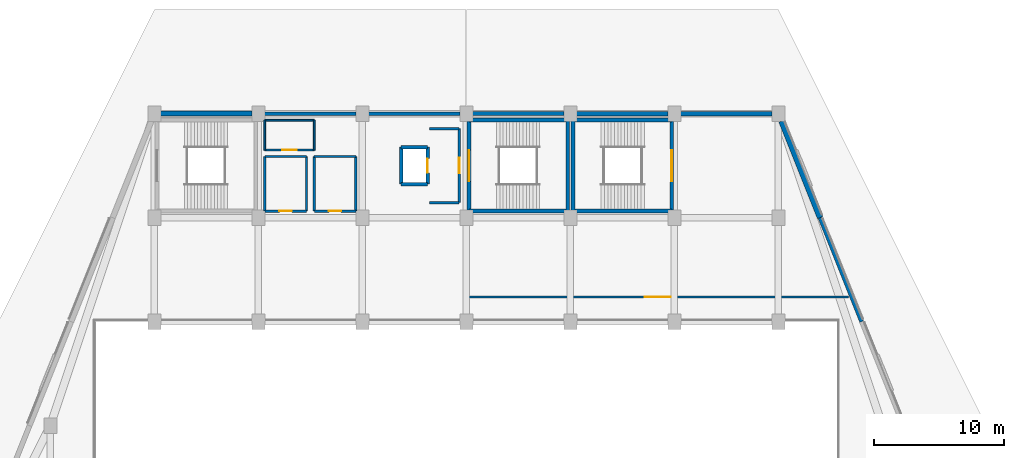
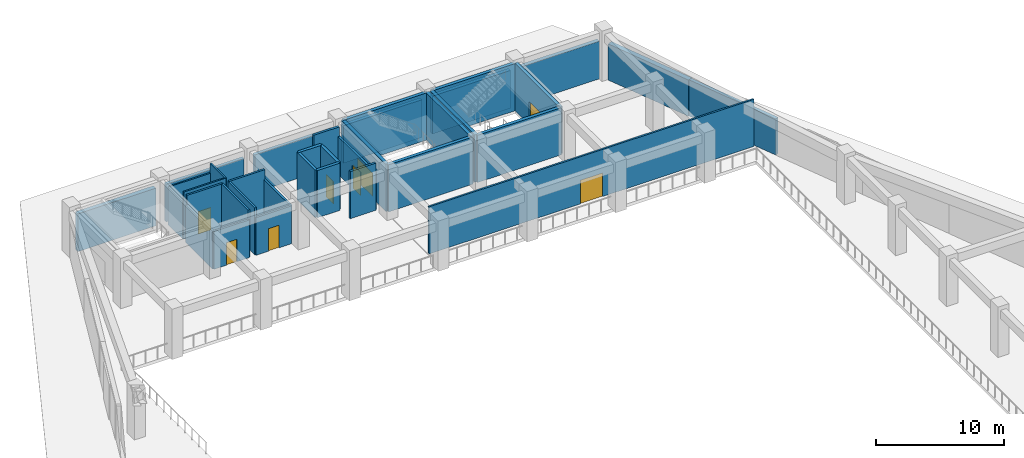
# One storey, part 4 of 8: 36 walls, 8 doors, 8 openings.
"""IFC4 building model written with IfcOpenShell, lengths in metres."""

from ifc_helpers import new_model, si_unit, direction, frame, frame_2d, origin, place, context, subcontext, project, spatial, rectangle, extrude, material, layer, layer_set, type_object, element, fill, save


model = new_model("IFC4")

# Units and contexts
model_context = context("Model", 3, precision=1e-05, world=origin(), true_north=direction((0.0, 1.0)))
body_context = subcontext(model_context, "Body", "Model", "MODEL_VIEW")
ifc_project = project(units=[si_unit("LENGTHUNIT", "METRE"), si_unit("AREAUNIT", "SQUARE_METRE"), si_unit("VOLUMEUNIT", "CUBIC_METRE"), si_unit("PLANEANGLEUNIT", "RADIAN"), si_unit("MASSUNIT", "GRAM", prefix="KILO")], contexts=[model_context])

# Site, building, storey
site_placement = place(None, origin())
site = spatial("IfcSite", under=ifc_project, at=site_placement, CompositionType="ELEMENT")
building_placement = place(site_placement, origin())
building = spatial("IfcBuilding", under=site, at=building_placement, Name="Tazarka Park Arena", CompositionType="ELEMENT")
storey_placement = place(building_placement, frame((0.0, 0.0, 19.800048828125)))
storey = spatial("IfcBuildingStorey", under=building, at=storey_placement, Name="L04", CompositionType="ELEMENT", Elevation=19.800048828125)

# Walls
ifc_material_1 = material(Name="Concrete C40/50", Category="concrete")
ifc_layer_1 = layer(ifc_material_1, 0.300048828125, Name="Concrete C40/50")
ifc_layer_set_1 = layer_set([ifc_layer_1], Name="Concrete C40/50")
wall_type_1 = type_object("IfcWallType", Name="IWAL-CW-S1", PredefinedType="SHEAR", material=ifc_layer_set_1)
wall_1_placement = place(storey_placement, frame((103.800048828125, 96.5, 0.0), z_axis=(0.0, 0.0, 1.0), x_axis=(-1.0, 0.0, 0.0)))
element("IfcWall", 1, at=wall_1_placement, inside=storey, type_object=wall_type_1, Name="SCW-L04-ST10-S", PredefinedType="SHEAR", context=body_context, shape_type="SweptSolid", body=[
    extrude(rectangle(XDim=7.60009765625, YDim=0.300048828125, at=frame_2d((3.800048828125, 0.0))), origin(), (0.0, 0.0, 1.0), 4.5),
])
wall_2_placement = place(storey_placement, frame((96.199951171875, 96.5, 0.0), z_axis=(0.0, 0.0, 1.0), x_axis=(0.0, 1.0, 0.0)))
element("IfcWall", 2, at=wall_2_placement, inside=storey, type_object=wall_type_1, Name="SCW-L04-ST10-W", PredefinedType="SHEAR", context=body_context, shape_type="SweptSolid", body=[
    extrude(rectangle(XDim=7.0, YDim=0.300048828125, at=frame_2d((3.5, 0.0))), origin(), (0.0, 0.0, 1.0), 4.5),
])
wall_3_placement = place(storey_placement, frame((96.199951171875, 103.5, 0.0), z_axis=(0.0, 0.0, 1.0), x_axis=(1.0, 0.0, 0.0)))
element("IfcWall", 3, at=wall_3_placement, inside=storey, type_object=wall_type_1, Name="SCW-L04-ST10-N", PredefinedType="SHEAR", context=body_context, shape_type="SweptSolid", body=[
    extrude(rectangle(XDim=7.60009765625, YDim=0.300048828125, at=frame_2d((3.800048828125, 0.0))), origin(), (0.0, 0.0, 1.0), 4.5),
])

# Wall, opening, door
wall_4_placement = place(storey_placement, frame((103.800048828125, 103.5, 0.0), z_axis=(0.0, 0.0, 1.0), x_axis=(0.0, -1.0, 0.0)))
wall_4 = element("IfcWall", 4, at=wall_4_placement, inside=storey, type_object=wall_type_1, Name="SCW-L04-ST10-E", PredefinedType="SHEAR", context=body_context, shape_type="SweptSolid", body=[
    extrude(rectangle(XDim=7.0, YDim=0.300048828125, at=frame_2d((3.5, 0.0))), origin(), (0.0, 0.0, 1.0), 4.5),
])
opening_1_placement = place(wall_4_placement, frame((2.300048828125, 0.0, 0.0)))
opening_1 = element("IfcOpeningElement", 5, at=opening_1_placement, cuts=wall_4, Name="Opening ID-05", PredefinedType="OPENING", context=body_context, shape_type="SweptSolid", body=[
    extrude(rectangle(XDim=2.39990234375, YDim=2.199951171875, at=frame_2d((1.199951171875, 1.10009765625))), frame((0.0, 0.16015625, 0.0), z_axis=(0.0, -1.0, 0.0), x_axis=(1.0, 0.0, 0.0)), (0.0, 0.0, 1.0), 0.320068359375),
])
ifc_material_2 = material(Name="Fire-rated powder-coated steel and acoustic timber", Category="steel")
door_type_1 = type_object("IfcDoorType", Name="IDR-ID-05", OperationType="NOTDEFINED", PredefinedType="DOOR", material=ifc_material_2)
door_1_placement = place(opening_1_placement, frame((2.39990234375, 0.0, 0.0), z_axis=(0.0, 0.0, 1.0), x_axis=(-1.0, 0.0, 0.0)))
door_1 = element("IfcDoor", 6, at=door_1_placement, inside=storey, type_object=door_type_1, Name="Exit Stair Door ST10-L04", OperationType="DOUBLE_DOOR_SINGLE_SWING", OverallHeight=2.199951171875, OverallWidth=2.39990234375, PredefinedType="DOOR", context=body_context, shape_type="SweptSolid", body=[
    extrude(rectangle(XDim=2.39990234375, YDim=2.199951171875, at=frame_2d((1.199951171875, 1.10009765625))), frame((0.0, 0.02490234375, 0.0), z_axis=(0.0, -1.0, 0.0), x_axis=(1.0, 0.0, 0.0)), (0.0, 0.0, 1.0), 0.050048828125),
])
fill(opening_1, door_1)

# Wall
wall_5_placement = place(storey_placement, frame((95.800048828125, 96.5, 0.0), z_axis=(0.0, 0.0, 1.0), x_axis=(-1.0, 0.0, 0.0)))
element("IfcWall", 7, at=wall_5_placement, inside=storey, type_object=wall_type_1, Name="SCW-L04-ST15-S", PredefinedType="SHEAR", context=body_context, shape_type="SweptSolid", body=[
    extrude(rectangle(XDim=7.60009765625, YDim=0.300048828125, at=frame_2d((3.800048828125, 0.0))), origin(), (0.0, 0.0, 1.0), 4.5),
])

# Wall, opening, door
wall_6_placement = place(storey_placement, frame((88.199951171875, 96.5, 0.0), z_axis=(0.0, 0.0, 1.0), x_axis=(0.0, 1.0, 0.0)))
wall_6 = element("IfcWall", 8, at=wall_6_placement, inside=storey, type_object=wall_type_1, Name="SCW-L04-ST15-W", PredefinedType="SHEAR", context=body_context, shape_type="SweptSolid", body=[
    extrude(rectangle(XDim=7.0, YDim=0.300048828125, at=frame_2d((3.5, 0.0))), origin(), (0.0, 0.0, 1.0), 4.5),
])
opening_2_placement = place(wall_6_placement, frame((2.300048828125, 0.0, 0.0)))
opening_2 = element("IfcOpeningElement", 9, at=opening_2_placement, cuts=wall_6, Name="Opening ID-05", PredefinedType="OPENING", context=body_context, shape_type="SweptSolid", body=[
    extrude(rectangle(XDim=2.39990234375, YDim=2.199951171875, at=frame_2d((1.199951171875, 1.10009765625))), frame((0.0, 0.16015625, 0.0), z_axis=(0.0, -1.0, 0.0), x_axis=(1.0, 0.0, 0.0)), (0.0, 0.0, 1.0), 0.320068359375),
])
door_2_placement = place(opening_2_placement, frame((2.39990234375, 0.0, 0.0), z_axis=(0.0, 0.0, 1.0), x_axis=(-1.0, 0.0, 0.0)))
door_2 = element("IfcDoor", 10, at=door_2_placement, inside=storey, type_object=door_type_1, Name="Exit Stair Door ST15-L04", OperationType="DOUBLE_DOOR_SINGLE_SWING", OverallHeight=2.199951171875, OverallWidth=2.39990234375, PredefinedType="DOOR", context=body_context, shape_type="SweptSolid", body=[
    extrude(rectangle(XDim=2.39990234375, YDim=2.199951171875, at=frame_2d((1.199951171875, 1.10009765625))), frame((0.0, 0.02490234375, 0.0), z_axis=(0.0, -1.0, 0.0), x_axis=(1.0, 0.0, 0.0)), (0.0, 0.0, 1.0), 0.050048828125),
])
fill(opening_2, door_2)

# Walls
wall_7_placement = place(storey_placement, frame((88.199951171875, 103.5, 0.0), z_axis=(0.0, 0.0, 1.0), x_axis=(1.0, 0.0, 0.0)))
element("IfcWall", 11, at=wall_7_placement, inside=storey, type_object=wall_type_1, Name="SCW-L04-ST15-N", PredefinedType="SHEAR", context=body_context, shape_type="SweptSolid", body=[
    extrude(rectangle(XDim=7.60009765625, YDim=0.300048828125, at=frame_2d((3.800048828125, 0.0))), origin(), (0.0, 0.0, 1.0), 4.5),
])
wall_8_placement = place(storey_placement, frame((95.800048828125, 103.5, 0.0), z_axis=(0.0, 0.0, 1.0), x_axis=(0.0, -1.0, 0.0)))
element("IfcWall", 12, at=wall_8_placement, inside=storey, type_object=wall_type_1, Name="SCW-L04-ST15-E", PredefinedType="SHEAR", context=body_context, shape_type="SweptSolid", body=[
    extrude(rectangle(XDim=7.0, YDim=0.300048828125, at=frame_2d((3.5, 0.0))), origin(), (0.0, 0.0, 1.0), 4.5),
])
ifc_material_3 = material(Name="Concrete C40/50", Category="concrete")
ifc_layer_2 = layer(ifc_material_3, 0.260009765625, Name="Concrete C40/50")
ifc_layer_set_2 = layer_set([ifc_layer_2], Name="Concrete C40/50")
wall_type_2 = type_object("IfcWallType", Name="IWAL-CW-S3", PredefinedType="SHEAR", material=ifc_layer_set_2)
wall_9_placement = place(storey_placement, frame((82.97998046875, 98.580078125, 0.0), z_axis=(0.0, 0.0, 1.0), x_axis=(0.0, 1.0, 0.0)))
element("IfcWall", 13, at=wall_9_placement, inside=storey, type_object=wall_type_2, Name="LSW-L04-LF-03-W", PredefinedType="SHEAR", context=body_context, shape_type="SweptSolid", body=[
    extrude(rectangle(XDim=2.83984375, YDim=0.260009765625, at=frame_2d((1.419921875, 0.0))), origin(), (0.0, 0.0, 1.0), 4.5),
])
for number, where, z_axis, x_axis, name in (
    (14, (82.97998046875, 101.419921875, 0.0), (0.0, 0.0, 1.0), (1.0, 0.0, 0.0), "LSW-L04-LF-03-N"),
    (15, (85.02001953125, 98.580078125, 0.0), (0.0, 0.0, 1.0), (-1.0, 0.0, 0.0), "LSW-L04-LF-03-S"),
):
    element("IfcWall", number, at=place(storey_placement, frame(where, z_axis=z_axis, x_axis=x_axis)), inside=storey, type_object=wall_type_2, Name=name, PredefinedType="SHEAR", context=body_context, shape_type="SweptSolid", body=[
        extrude(rectangle(XDim=2.0400390625, YDim=0.260009765625, at=frame_2d((1.02001953125, 0.0))), origin(), (0.0, 0.0, 1.0), 4.5),
    ])

# Wall, opening, door
wall_10_placement = place(storey_placement, frame((85.02001953125, 101.419921875, 0.0), z_axis=(0.0, 0.0, 1.0), x_axis=(0.0, -1.0, 0.0)))
wall_10 = element("IfcWall", 16, at=wall_10_placement, inside=storey, type_object=wall_type_2, Name="LSW-L04-LF-03-E", PredefinedType="SHEAR", context=body_context, shape_type="SweptSolid", body=[
    extrude(rectangle(XDim=2.83984375, YDim=0.260009765625, at=frame_2d((1.419921875, 0.0))), origin(), (0.0, 0.0, 1.0), 4.5),
])
opening_3_placement = place(wall_10_placement, frame((0.8701171875, 0.0, 0.0)))
opening_3 = element("IfcOpeningElement", 17, at=opening_3_placement, cuts=wall_10, Name="Opening LD-01", PredefinedType="OPENING", context=body_context, shape_type="SweptSolid", body=[
    extrude(rectangle(XDim=1.10009765625, YDim=2.14990234375, at=frame_2d((0.550048828125, 1.074951171875))), frame((0.0, 0.14013671875, 0.0), z_axis=(0.0, -1.0, 0.0), x_axis=(1.0, 0.0, 0.0)), (0.0, 0.0, 1.0), 0.280029296875),
])
ifc_material_4 = material(Name="Fire-rated powder-coated steel and acoustic timber", Category="steel")
door_type_2 = type_object("IfcDoorType", Name="IDR-LD-01", OperationType="NOTDEFINED", PredefinedType="DOOR", material=ifc_material_4)
door_3_placement = place(opening_3_placement, origin())
door_3 = element("IfcDoor", 18, at=door_3_placement, inside=storey, type_object=door_type_2, Name="Lift Landing Door LF-03-L04", OperationType="SLIDING_TO_LEFT", OverallHeight=2.14990234375, OverallWidth=1.10009765625, PredefinedType="DOOR", context=body_context, shape_type="SweptSolid", body=[
    extrude(rectangle(XDim=1.10009765625, YDim=2.14990234375, at=frame_2d((0.550048828125, 1.074951171875))), frame((0.0, 0.02490234375, 0.0), z_axis=(0.0, -1.0, 0.0), x_axis=(1.0, 0.0, 0.0)), (0.0, 0.0, 1.0), 0.050048828125),
])
fill(opening_3, door_3)

ifc_material_5 = material(Name="Double-stud acoustic gypsum partition")
ifc_layer_3 = layer(ifc_material_5, 0.159912109375, Name="Double-stud acoustic gypsum partition")
ifc_layer_set_3 = layer_set([ifc_layer_3], Name="Double-stud acoustic gypsum partition")
wall_type_3 = type_object("IfcWallType", Name="IWAL-PT-03", PredefinedType="PARTITIONING", material=ifc_layer_set_3)
wall_11_placement = place(storey_placement, frame((117.375244140625, 89.89990234375, 0.0), z_axis=(0.0, 0.0, 1.0), x_axis=(-1.0, 0.0, 0.0)))
wall_11 = element("IfcWall", 19, at=wall_11_placement, inside=storey, type_object=wall_type_3, Name="PRT-L04-021", PredefinedType="PARTITIONING", context=body_context, shape_type="SweptSolid", body=[
    extrude(rectangle(XDim=29.295166015625, YDim=0.159912109375, at=frame_2d((14.6474609375, 0.0))), origin(), (0.0, 0.0, 1.0), 4.5),
])
opening_4_placement = place(wall_11_placement, frame((13.647705078125, 0.0, 0.0)))
opening_4 = element("IfcOpeningElement", 20, at=opening_4_placement, cuts=wall_11, Name="Opening ID-08", PredefinedType="OPENING", context=body_context, shape_type="SweptSolid", body=[
    extrude(rectangle(XDim=2.0, YDim=2.25, at=frame_2d((1.0, 1.125))), frame((0.0, 0.08984375, 0.0), z_axis=(0.0, -1.0, 0.0), x_axis=(1.0, 0.0, 0.0)), (0.0, 0.0, 1.0), 0.179931640625),
])
ifc_material_6 = material(Name="Fire-rated powder-coated steel and acoustic timber", Category="steel")
door_type_3 = type_object("IfcDoorType", Name="IDR-ID-08", OperationType="NOTDEFINED", PredefinedType="DOOR", material=ifc_material_6)
door_4_placement = place(opening_4_placement, origin())
door_4 = element("IfcDoor", 21, at=door_4_placement, inside=storey, type_object=door_type_3, Name="Room Door Venue Administration and Event Control Offices", OperationType="DOUBLE_DOOR_SINGLE_SWING", OverallHeight=2.25, OverallWidth=2.0, PredefinedType="DOOR", context=body_context, shape_type="SweptSolid", body=[
    extrude(rectangle(XDim=2.0, YDim=2.25, at=frame_2d((1.0, 1.125))), frame((0.0, 0.02490234375, 0.0), z_axis=(0.0, -1.0, 0.0), x_axis=(1.0, 0.0, 0.0)), (0.0, 0.0, 1.0), 0.050048828125),
])
fill(opening_4, door_4)

# Walls
ifc_material_7 = material(Name="Reinforced masonry compartment wall", Category="masonry")
ifc_layer_4 = layer(ifc_material_7, 0.199951171875, Name="Reinforced masonry compartment wall")
ifc_layer_set_4 = layer_set([ifc_layer_4], Name="Reinforced masonry compartment wall")
wall_type_4 = type_object("IfcWallType", Name="IWAL-PT-04", PredefinedType="PARTITIONING", material=ifc_layer_set_4)
for number, where, z_axis, x_axis, name in (
    (22, (85.14990234375, 102.85009765625, 0.0), (0.0, 0.0, 1.0), (1.0, 0.0, 0.0), "FFW-L04-LF-03-N"),
    (23, (87.449951171875, 97.14990234375, 0.0), (0.0, 0.0, 1.0), (-1.0, 0.0, 0.0), "FFW-L04-LF-03-S"),
):
    element("IfcWall", number, at=place(storey_placement, frame(where, z_axis=z_axis, x_axis=x_axis)), inside=storey, type_object=wall_type_4, Name=name, PredefinedType="PARTITIONING", context=body_context, shape_type="SweptSolid", body=[
        extrude(rectangle(XDim=2.300048828125, YDim=0.199951171875, at=frame_2d((1.14990234375, 0.0))), origin(), (0.0, 0.0, 1.0), 4.5),
    ])

# Wall, opening, door
wall_12_placement = place(storey_placement, frame((87.449951171875, 102.85009765625, 0.0), z_axis=(0.0, 0.0, 1.0), x_axis=(0.0, -1.0, 0.0)))
wall_12 = element("IfcWall", 24, at=wall_12_placement, inside=storey, type_object=wall_type_4, Name="FFW-L04-LF-03-E", PredefinedType="PARTITIONING", context=body_context, shape_type="SweptSolid", body=[
    extrude(rectangle(XDim=5.7001953125, YDim=0.199951171875, at=frame_2d((2.85009765625, 0.0))), origin(), (0.0, 0.0, 1.0), 3.599853515625),
])
opening_5_placement = place(wall_12_placement, frame((2.25, 0.0, 0.0)))
opening_5 = element("IfcOpeningElement", 25, at=opening_5_placement, cuts=wall_12, Name="Opening ID-03", PredefinedType="OPENING", context=body_context, shape_type="SweptSolid", body=[
    extrude(rectangle(XDim=1.199951171875, YDim=2.199951171875, at=frame_2d((0.60009765625, 1.10009765625))), frame((0.0, 0.10986328125, 0.0), z_axis=(0.0, -1.0, 0.0), x_axis=(1.0, 0.0, 0.0)), (0.0, 0.0, 1.0), 0.219970703125),
])
ifc_material_8 = material(Name="Fire-rated powder-coated steel and acoustic timber", Category="steel")
door_type_4 = type_object("IfcDoorType", Name="IDR-ID-03", OperationType="NOTDEFINED", PredefinedType="DOOR", material=ifc_material_8)
door_5_placement = place(opening_5_placement, origin())
door_5 = element("IfcDoor", 26, at=door_5_placement, inside=storey, type_object=door_type_4, Name="Firefighting Lobby Door LF-03-L04", OperationType="SINGLE_SWING_RIGHT", OverallHeight=2.199951171875, OverallWidth=1.199951171875, PredefinedType="DOOR", context=body_context, shape_type="SweptSolid", body=[
    extrude(rectangle(XDim=1.199951171875, YDim=2.199951171875, at=frame_2d((0.60009765625, 1.10009765625))), frame((0.0, 0.02490234375, 0.0), z_axis=(0.0, -1.0, 0.0), x_axis=(1.0, 0.0, 0.0)), (0.0, 0.0, 1.0), 0.050048828125),
])
fill(opening_5, door_5)

ifc_material_9 = material(Name="Acoustic gypsum stud partition")
ifc_layer_5 = layer(ifc_material_9, 0.135009765625, Name="Acoustic gypsum stud partition")
ifc_layer_set_5 = layer_set([ifc_layer_5], Name="Acoustic gypsum stud partition")
wall_type_5 = type_object("IfcWallType", Name="IWAL-PT-10", PredefinedType="PARTITIONING", material=ifc_layer_set_5)
wall_13_placement = place(storey_placement, frame((72.5, 101.199951171875, 0.0), z_axis=(0.0, 0.0, 1.0), x_axis=(1.0, 0.0, 0.0)))
wall_13 = element("IfcWall", 27, at=wall_13_placement, inside=storey, type_object=wall_type_5, Name="WCE-L04-131", PredefinedType="PARTITIONING", context=body_context, shape_type="SweptSolid", body=[
    extrude(rectangle(XDim=3.800048828125, YDim=0.135009765625, at=frame_2d((1.89990234375, 0.0))), origin(), (0.0, 0.0, 1.0), 4.5),
])
opening_6_placement = place(wall_13_placement, frame((1.35009765625, 0.0, 0.0)))
opening_6 = element("IfcOpeningElement", 28, at=opening_6_placement, cuts=wall_13, Name="Opening ID-02", PredefinedType="OPENING", context=body_context, shape_type="SweptSolid", body=[
    extrude(rectangle(XDim=1.10009765625, YDim=2.14990234375, at=frame_2d((0.550048828125, 1.074951171875))), frame((0.0, 0.07763671875, 0.0), z_axis=(0.0, -1.0, 0.0), x_axis=(1.0, 0.0, 0.0)), (0.0, 0.0, 1.0), 0.155029296875),
])
ifc_material_10 = material(Name="Fire-rated powder-coated steel and acoustic timber", Category="steel")
door_type_5 = type_object("IfcDoorType", Name="IDR-ID-02", OperationType="NOTDEFINED", PredefinedType="DOOR", material=ifc_material_10)
door_6_placement = place(opening_6_placement, origin())
door_6 = element("IfcDoor", 29, at=door_6_placement, inside=storey, type_object=door_type_5, Name="Room Door Accessible WC Media 1", OperationType="SINGLE_SWING_RIGHT", OverallHeight=2.14990234375, OverallWidth=1.10009765625, PredefinedType="DOOR", context=body_context, shape_type="SweptSolid", body=[
    extrude(rectangle(XDim=1.10009765625, YDim=2.14990234375, at=frame_2d((0.550048828125, 1.074951171875))), frame((0.0, 0.02490234375, 0.0), z_axis=(0.0, -1.0, 0.0), x_axis=(1.0, 0.0, 0.0)), (0.0, 0.0, 1.0), 0.050048828125),
])
fill(opening_6, door_6)

# Walls
wall_14_placement = place(storey_placement, frame((76.300048828125, 101.199951171875, 0.0), z_axis=(0.0, 0.0, 1.0), x_axis=(0.0, 1.0, 0.0)))
element("IfcWall", 30, at=wall_14_placement, inside=storey, type_object=wall_type_5, Name="WCE-L04-132", PredefinedType="PARTITIONING", context=body_context, shape_type="SweptSolid", body=[
    extrude(rectangle(XDim=2.300048828125, YDim=0.135009765625, at=frame_2d((1.14990234375, 0.0))), origin(), (0.0, 0.0, 1.0), 4.5),
])
wall_15_placement = place(storey_placement, frame((76.300048828125, 103.5, 0.0), z_axis=(0.0, 0.0, 1.0), x_axis=(-1.0, 0.0, 0.0)))
element("IfcWall", 31, at=wall_15_placement, inside=storey, type_object=wall_type_5, Name="WCE-L04-133", PredefinedType="PARTITIONING", context=body_context, shape_type="SweptSolid", body=[
    extrude(rectangle(XDim=3.800048828125, YDim=0.135009765625, at=frame_2d((1.89990234375, 0.0))), origin(), (0.0, 0.0, 1.0), 3.599853515625),
])
wall_16_placement = place(storey_placement, frame((72.5, 103.5, 0.0), z_axis=(0.0, 0.0, 1.0), x_axis=(0.0, -1.0, 0.0)))
element("IfcWall", 32, at=wall_16_placement, inside=storey, type_object=wall_type_5, Name="WCE-L04-134", PredefinedType="PARTITIONING", context=body_context, shape_type="SweptSolid", body=[
    extrude(rectangle(XDim=2.300048828125, YDim=0.135009765625, at=frame_2d((1.14990234375, 0.0))), origin(), (0.0, 0.0, 1.0), 3.599853515625),
])

# Wall, opening, door
ifc_material_11 = material(Name="Wet-zone tiled blockwork wall", Category="masonry")
ifc_layer_6 = layer(ifc_material_11, 0.175048828125, Name="Wet-zone tiled blockwork wall")
ifc_layer_set_6 = layer_set([ifc_layer_6], Name="Wet-zone tiled blockwork wall")
wall_type_6 = type_object("IfcWallType", Name="IWAL-PT-18", PredefinedType="PARTITIONING", material=ifc_layer_set_6)
wall_17_placement = place(storey_placement, frame((72.5, 96.5, 0.0), z_axis=(0.0, 0.0, 1.0), x_axis=(1.0, 0.0, 0.0)))
wall_17 = element("IfcWall", 33, at=wall_17_placement, inside=storey, type_object=wall_type_6, Name="WCE-L04-123", PredefinedType="PARTITIONING", context=body_context, shape_type="SweptSolid", body=[
    extrude(rectangle(XDim=3.199951171875, YDim=0.175048828125, at=frame_2d((1.60009765625, 0.0))), origin(), (0.0, 0.0, 1.0), 3.599853515625),
])
opening_7_placement = place(wall_17_placement, frame((1.125, 0.0, 0.0)))
opening_7 = element("IfcOpeningElement", 34, at=opening_7_placement, cuts=wall_17, Name="Opening ID-09", PredefinedType="OPENING", context=body_context, shape_type="SweptSolid", body=[
    extrude(rectangle(XDim=0.949951171875, YDim=2.14990234375, at=frame_2d((0.47509765625, 1.074951171875))), frame((0.0, 0.09765625, 0.0), z_axis=(0.0, -1.0, 0.0), x_axis=(1.0, 0.0, 0.0)), (0.0, 0.0, 1.0), 0.195068359375),
])
ifc_material_12 = material(Name="Fire-rated powder-coated steel and acoustic timber", Category="steel")
door_type_6 = type_object("IfcDoorType", Name="IDR-ID-09", OperationType="NOTDEFINED", PredefinedType="DOOR", material=ifc_material_12)
door_7_placement = place(opening_7_placement, origin())
door_7 = element("IfcDoor", 35, at=door_7_placement, inside=storey, type_object=door_type_6, Name="Room Door Public Male WC Media 1", OperationType="SINGLE_SWING_RIGHT", OverallHeight=2.14990234375, OverallWidth=0.949951171875, PredefinedType="DOOR", context=body_context, shape_type="SweptSolid", body=[
    extrude(rectangle(XDim=0.949951171875, YDim=2.14990234375, at=frame_2d((0.47509765625, 1.074951171875))), frame((0.0, 0.02490234375, 0.0), z_axis=(0.0, -1.0, 0.0), x_axis=(1.0, 0.0, 0.0)), (0.0, 0.0, 1.0), 0.050048828125),
])
fill(opening_7, door_7)

# Walls
wall_18_placement = place(storey_placement, frame((75.699951171875, 96.5, 0.0), z_axis=(0.0, 0.0, 1.0), x_axis=(0.0, 1.0, 0.0)))
element("IfcWall", 36, at=wall_18_placement, inside=storey, type_object=wall_type_6, Name="WCE-L04-124", PredefinedType="PARTITIONING", context=body_context, shape_type="SweptSolid", body=[
    extrude(rectangle(XDim=4.199951171875, YDim=0.175048828125, at=frame_2d((2.10009765625, 0.0))), origin(), (0.0, 0.0, 1.0), 4.5),
])
wall_19_placement = place(storey_placement, frame((75.699951171875, 100.699951171875, 0.0), z_axis=(0.0, 0.0, 1.0), x_axis=(-1.0, 0.0, 0.0)))
element("IfcWall", 37, at=wall_19_placement, inside=storey, type_object=wall_type_6, Name="WCE-L04-125", PredefinedType="PARTITIONING", context=body_context, shape_type="SweptSolid", body=[
    extrude(rectangle(XDim=3.199951171875, YDim=0.175048828125, at=frame_2d((1.60009765625, 0.0))), origin(), (0.0, 0.0, 1.0), 4.5),
])
wall_20_placement = place(storey_placement, frame((72.5, 100.699951171875, 0.0), z_axis=(0.0, 0.0, 1.0), x_axis=(0.0, -1.0, 0.0)))
element("IfcWall", 38, at=wall_20_placement, inside=storey, type_object=wall_type_6, Name="WCE-L04-126", PredefinedType="PARTITIONING", context=body_context, shape_type="SweptSolid", body=[
    extrude(rectangle(XDim=4.199951171875, YDim=0.175048828125, at=frame_2d((2.10009765625, 0.0))), origin(), (0.0, 0.0, 1.0), 3.599853515625),
])

# Wall, opening, door
wall_21_placement = place(storey_placement, frame((76.300048828125, 96.5, 0.0), z_axis=(0.0, 0.0, 1.0), x_axis=(1.0, 0.0, 0.0)))
wall_21 = element("IfcWall", 39, at=wall_21_placement, inside=storey, type_object=wall_type_6, Name="WCE-L04-127", PredefinedType="PARTITIONING", context=body_context, shape_type="SweptSolid", body=[
    extrude(rectangle(XDim=3.199951171875, YDim=0.175048828125, at=frame_2d((1.60009765625, 0.0))), origin(), (0.0, 0.0, 1.0), 3.599853515625),
])
opening_8_placement = place(wall_21_placement, frame((1.125, 0.0, 0.0)))
opening_8 = element("IfcOpeningElement", 40, at=opening_8_placement, cuts=wall_21, Name="Opening ID-09", PredefinedType="OPENING", context=body_context, shape_type="SweptSolid", body=[
    extrude(rectangle(XDim=0.949951171875, YDim=2.14990234375, at=frame_2d((0.47509765625, 1.074951171875))), frame((0.0, 0.09765625, 0.0), z_axis=(0.0, -1.0, 0.0), x_axis=(1.0, 0.0, 0.0)), (0.0, 0.0, 1.0), 0.195068359375),
])
door_8_placement = place(opening_8_placement, origin())
door_8 = element("IfcDoor", 41, at=door_8_placement, inside=storey, type_object=door_type_6, Name="Room Door Public Female WC Media 1", OperationType="SINGLE_SWING_LEFT", OverallHeight=2.14990234375, OverallWidth=0.949951171875, PredefinedType="DOOR", context=body_context, shape_type="SweptSolid", body=[
    extrude(rectangle(XDim=0.949951171875, YDim=2.14990234375, at=frame_2d((0.47509765625, 1.074951171875))), frame((0.0, 0.02490234375, 0.0), z_axis=(0.0, -1.0, 0.0), x_axis=(1.0, 0.0, 0.0)), (0.0, 0.0, 1.0), 0.050048828125),
])
fill(opening_8, door_8)

# Walls
wall_22_placement = place(storey_placement, frame((79.5, 96.5, 0.0), z_axis=(0.0, 0.0, 1.0), x_axis=(0.0, 1.0, 0.0)))
element("IfcWall", 42, at=wall_22_placement, inside=storey, type_object=wall_type_6, Name="WCE-L04-128", PredefinedType="PARTITIONING", context=body_context, shape_type="SweptSolid", body=[
    extrude(rectangle(XDim=4.199951171875, YDim=0.175048828125, at=frame_2d((2.10009765625, 0.0))), origin(), (0.0, 0.0, 1.0), 3.599853515625),
])
wall_23_placement = place(storey_placement, frame((79.5, 100.699951171875, 0.0), z_axis=(0.0, 0.0, 1.0), x_axis=(-1.0, 0.0, 0.0)))
element("IfcWall", 43, at=wall_23_placement, inside=storey, type_object=wall_type_6, Name="WCE-L04-129", PredefinedType="PARTITIONING", context=body_context, shape_type="SweptSolid", body=[
    extrude(rectangle(XDim=3.199951171875, YDim=0.175048828125, at=frame_2d((1.60009765625, 0.0))), origin(), (0.0, 0.0, 1.0), 4.5),
])
wall_24_placement = place(storey_placement, frame((76.300048828125, 100.699951171875, 0.0), z_axis=(0.0, 0.0, 1.0), x_axis=(0.0, -1.0, 0.0)))
element("IfcWall", 44, at=wall_24_placement, inside=storey, type_object=wall_type_6, Name="WCE-L04-130", PredefinedType="PARTITIONING", context=body_context, shape_type="SweptSolid", body=[
    extrude(rectangle(XDim=4.199951171875, YDim=0.175048828125, at=frame_2d((2.10009765625, 0.0))), origin(), (0.0, 0.0, 1.0), 4.5),
])
ifc_material_13 = material(Name="Precast concrete C40/50", Category="concrete")
ifc_layer_7 = layer(ifc_material_13, 0.300048828125, Name="Precast concrete C40/50")
ifc_layer_set_7 = layer_set([ifc_layer_7], Name="Precast concrete C40/50")
wall_type_7 = type_object("IfcWallType", Name="WAL-EW-01", PredefinedType="SOLIDWALL", material=ifc_layer_set_7)
wall_25_placement = place(storey_placement, frame((115.199951171875, 96.0, 0.0), z_axis=(0.0, 0.0, 1.0), x_axis=(0.371385791018, -0.928478645005, 0.0)))
element("IfcWall", 45, at=wall_25_placement, inside=storey, type_object=wall_type_7, Name="EW-L04-0336", PredefinedType="SOLIDWALL", context=body_context, shape_type="SweptSolid", body=[
    extrude(rectangle(XDim=8.6162109375, YDim=0.300048828125, at=frame_2d((4.30810546875, 0.0))), origin(), (0.0, 0.0, 1.0), 3.449951171875),
])
ifc_material_14 = material(Name="Concrete C50/60", Category="concrete")
ifc_layer_8 = layer(ifc_material_14, 0.3798828125, Name="Concrete C50/60")
ifc_layer_set_8 = layer_set([ifc_layer_8], Name="Concrete C50/60")
wall_type_8 = type_object("IfcWallType", Name="WAL-EW-05", PredefinedType="SOLIDWALL", material=ifc_layer_set_8)
wall_26_placement = place(storey_placement, frame((64.47998046875, 104.0, 0.0), z_axis=(0.0, 0.0, 1.0), x_axis=(1.0, 0.0, 0.0)))
element("IfcWall", 46, at=wall_26_placement, inside=storey, type_object=wall_type_8, Name="EW-L04-0340", PredefinedType="SOLIDWALL", context=body_context, shape_type="SweptSolid", body=[
    extrude(rectangle(XDim=7.0400390625, YDim=0.3798828125, at=frame_2d((3.52001953125, 0.0))), origin(), (0.0, 0.0, 1.0), 3.599853515625),
])
ifc_material_15 = material(Name="Precast concrete C40/50", Category="concrete")
ifc_layer_9 = layer(ifc_material_15, 0.280029296875, Name="Precast concrete C40/50")
ifc_layer_set_9 = layer_set([ifc_layer_9], Name="Precast concrete C40/50")
wall_type_9 = type_object("IfcWallType", Name="WAL-EW-06", PredefinedType="SOLIDWALL", material=ifc_layer_set_9)
wall_27_placement = place(storey_placement, frame((72.47998046875, 104.0, 0.0), z_axis=(0.0, 0.0, 1.0), x_axis=(1.0, 0.0, 0.0)))
element("IfcWall", 47, at=wall_27_placement, inside=storey, type_object=wall_type_9, Name="EW-L04-0341", PredefinedType="SOLIDWALL", context=body_context, shape_type="SweptSolid", body=[
    extrude(rectangle(XDim=7.0400390625, YDim=0.280029296875, at=frame_2d((3.52001953125, 0.0))), origin(), (0.0, 0.0, 1.0), 3.599853515625),
])
ifc_material_16 = material(Name="Precast concrete C40/50", Category="concrete")
ifc_layer_10 = layer(ifc_material_16, 0.2900390625, Name="Precast concrete C40/50")
ifc_layer_set_10 = layer_set([ifc_layer_10], Name="Precast concrete C40/50")
wall_type_10 = type_object("IfcWallType", Name="WAL-EW-07", PredefinedType="SOLIDWALL", material=ifc_layer_set_10)
wall_28_placement = place(storey_placement, frame((80.47998046875, 104.0, 0.0), z_axis=(0.0, 0.0, 1.0), x_axis=(1.0, 0.0, 0.0)))
element("IfcWall", 48, at=wall_28_placement, inside=storey, type_object=wall_type_10, Name="EW-L04-0342", PredefinedType="SOLIDWALL", context=body_context, shape_type="SweptSolid", body=[
    extrude(rectangle(XDim=7.0400390625, YDim=0.2900390625, at=frame_2d((3.52001953125, 0.0))), origin(), (0.0, 0.0, 1.0), 3.599853515625),
])
ifc_material_17 = material(Name="Precast concrete C40/50", Category="concrete")
ifc_layer_11 = layer(ifc_material_17, 0.31005859375, Name="Precast concrete C40/50")
ifc_layer_set_11 = layer_set([ifc_layer_11], Name="Precast concrete C40/50")
wall_type_11 = type_object("IfcWallType", Name="WAL-EW-08", PredefinedType="SOLIDWALL", material=ifc_layer_set_11)
wall_29_placement = place(storey_placement, frame((88.47998046875, 104.0, 0.0), z_axis=(0.0, 0.0, 1.0), x_axis=(1.0, 0.0, 0.0)))
element("IfcWall", 49, at=wall_29_placement, inside=storey, type_object=wall_type_11, Name="EW-L04-0343", PredefinedType="SOLIDWALL", context=body_context, shape_type="SweptSolid", body=[
    extrude(rectangle(XDim=7.0400390625, YDim=0.31005859375, at=frame_2d((3.52001953125, 0.0))), origin(), (0.0, 0.0, 1.0), 3.599853515625),
])
ifc_material_18 = material(Name="Concrete C40/50", Category="concrete")
ifc_layer_12 = layer(ifc_material_18, 0.330078125, Name="Concrete C40/50")
ifc_layer_set_12 = layer_set([ifc_layer_12], Name="Concrete C40/50")
wall_type_12 = type_object("IfcWallType", Name="WAL-EW-09", PredefinedType="SOLIDWALL", material=ifc_layer_set_12)
wall_30_placement = place(storey_placement, frame((96.47998046875, 104.0, 0.0), z_axis=(0.0, 0.0, 1.0), x_axis=(1.0, 0.0, 0.0)))
element("IfcWall", 50, at=wall_30_placement, inside=storey, type_object=wall_type_12, Name="EW-L04-0344", PredefinedType="SOLIDWALL", context=body_context, shape_type="SweptSolid", body=[
    extrude(rectangle(XDim=7.0400390625, YDim=0.330078125, at=frame_2d((3.52001953125, 0.0))), origin(), (0.0, 0.0, 1.0), 3.599853515625),
])
ifc_material_19 = material(Name="Concrete C40/50", Category="concrete")
ifc_layer_13 = layer(ifc_material_19, 0.35009765625, Name="Concrete C40/50")
ifc_layer_set_13 = layer_set([ifc_layer_13], Name="Concrete C40/50")
wall_type_13 = type_object("IfcWallType", Name="WAL-EW-10", PredefinedType="SOLIDWALL", material=ifc_layer_set_13)
wall_31_placement = place(storey_placement, frame((104.47998046875, 104.0, 0.0), z_axis=(0.0, 0.0, 1.0), x_axis=(1.0, 0.0, 0.0)))
element("IfcWall", 51, at=wall_31_placement, inside=storey, type_object=wall_type_13, Name="EW-L04-0345", PredefinedType="SOLIDWALL", context=body_context, shape_type="SweptSolid", body=[
    extrude(rectangle(XDim=7.0400390625, YDim=0.35009765625, at=frame_2d((3.52001953125, 0.0))), origin(), (0.0, 0.0, 1.0), 3.599853515625),
])
ifc_material_20 = material(Name="Concrete C50/60", Category="concrete")
ifc_layer_14 = layer(ifc_material_20, 0.429931640625, Name="Concrete C50/60")
ifc_layer_set_14 = layer_set([ifc_layer_14], Name="Concrete C50/60")
wall_type_14 = type_object("IfcWallType", Name="WAL-EW-16", PredefinedType="SOLIDWALL", material=ifc_layer_set_14)
wall_32_placement = place(storey_placement, frame((112.23193359375, 103.419921875, 0.0), z_axis=(0.0, 0.0, 1.0), x_axis=(0.371395943584, -0.928474583976, 0.0)))
element("IfcWall", 52, at=wall_32_placement, inside=storey, type_object=wall_type_14, Name="EW-L04-0335", PredefinedType="SOLIDWALL", context=body_context, shape_type="SweptSolid", body=[
    extrude(rectangle(XDim=7.991455078125, YDim=0.429931640625, at=frame_2d((3.99560546875, 0.0))), origin(), (0.0, 0.0, 1.0), 3.449951171875),
])

save(model, "model.ifc")
